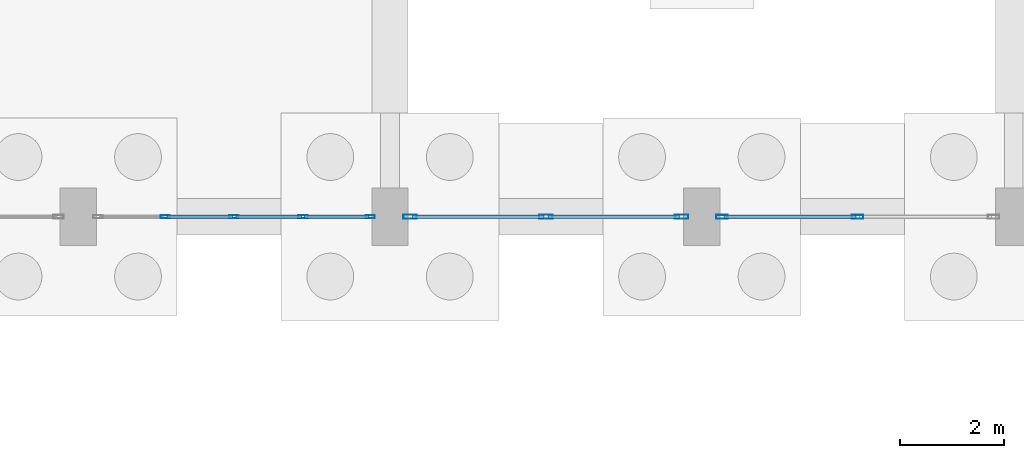
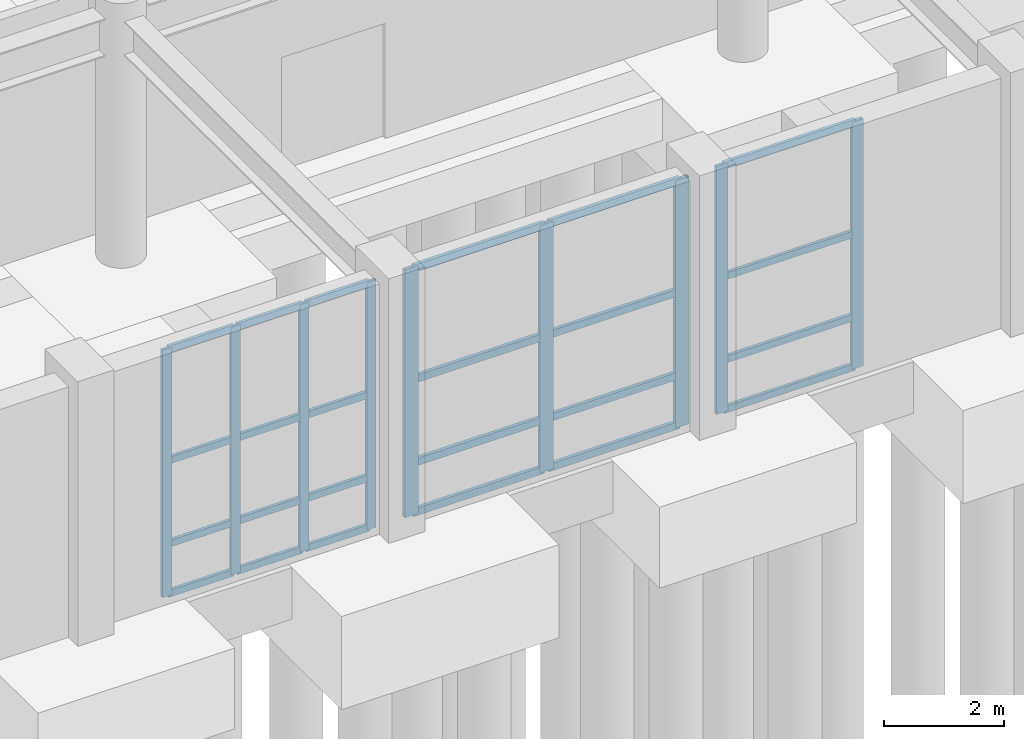
# One storey, part 29 of 69: 33 members, 3 elements without a shape of their own.
"""IFC4 building model written with IfcOpenShell, lengths in metres."""

import ifcopenshell
import ifcopenshell.guid

model = None  # the IFC model being written
_history = None  # IfcOwnerHistory: only IFC2X3 demands one
_inside = {}  # id of a spatial element -> (the spatial element, [elements in it])
_under = {}  # id of a project, library or spatial element -> (it, [spatial elements below it])
_declared = {}  # id of a project -> (the project, [libraries it declares])
_typed = {}  # id of a type object -> (the type object, [elements of that type])
_made_of = {}  # id of a material, layer set ... -> (it, [elements and type objects made of it])


def new_model(schema):
    """Start an empty IFC model of exactly this schema.

    Asked for "IFC4X3", IfcOpenShell would pick the latest addendum, in which some entities
    have other attributes; the version numbers below select the first issue.
    IFC2X3 requires an IfcOwnerHistory on every rooted entity: one is made here for all.
    """
    global model, _history
    if schema == "IFC4X3":
        model = ifcopenshell.file(schema_version=(4, 3, 0, 0))
    else:
        model = ifcopenshell.file(schema=schema)
    _inside.clear()
    _under.clear()
    _declared.clear()
    _typed.clear()
    _made_of.clear()
    _history = None
    if model.schema == "IFC2X3":
        org = make("IfcOrganization", Name="unknown")
        user = make(
            "IfcPersonAndOrganization",
            ThePerson=make("IfcPerson", FamilyName="unknown"),
            TheOrganization=org,
        )
        app = make(
            "IfcApplication",
            ApplicationDeveloper=org,
            Version="unknown",
            ApplicationFullName="unknown",
            ApplicationIdentifier="unknown",
        )
        _history = make(
            "IfcOwnerHistory",
            OwningUser=user,
            OwningApplication=app,
            ChangeAction="ADDED",
            CreationDate=0,
        )
    return model


def make(cls, **values):
    """One entity of the class cls with the attributes given. An attribute that is None is left unset."""
    return model.create_entity(
        cls, **{name: value for name, value in values.items() if value is not None}
    )


def rooted(cls, **values):
    """An entity with a GlobalId (a new one), such as an element, a storey or a relation."""
    return make(cls, GlobalId=ifcopenshell.guid.new(), OwnerHistory=_history, **values)


def si_unit(unit_type, name, prefix=None):
    """IfcSIUnit, for example si_unit("LENGTHUNIT", "METRE", prefix="MILLI")."""
    return make("IfcSIUnit", UnitType=unit_type, Prefix=prefix, Name=name)


def assignment(units):
    """IfcUnitAssignment: the units of a project."""
    return None if units is None else make("IfcUnitAssignment", Units=units)


def point(xyz):
    """IfcCartesianPoint."""
    return None if xyz is None else make("IfcCartesianPoint", Coordinates=xyz)


def direction(xyz):
    """IfcDirection."""
    return None if xyz is None else make("IfcDirection", DirectionRatios=xyz)


def frame(location, z_axis=None, x_axis=None):
    """IfcAxis2Placement3D, a coordinate frame: its origin and axes. An axis left out is left unset."""
    return make(
        "IfcAxis2Placement3D",
        Location=point(location),
        Axis=direction(z_axis),
        RefDirection=direction(x_axis),
    )


def frame_2d(location, x_axis=None):
    """IfcAxis2Placement2D, a coordinate frame in the plane: its origin and x axis."""
    return make(
        "IfcAxis2Placement2D", Location=point(location), RefDirection=direction(x_axis)
    )


def origin():
    """The frame at (0, 0, 0) with its axes left unset."""
    return frame((0.0, 0.0, 0.0))


def origin_2d():
    """The frame at (0, 0) in the plane with its x axis left unset."""
    return frame_2d((0.0, 0.0))


def place(relative_to, where):
    """IfcLocalPlacement: puts the frame where relative to a parent placement (None: the world)."""
    return make(
        "IfcLocalPlacement", PlacementRelTo=relative_to, RelativePlacement=where
    )


def context(
    kind, dimensions, precision=None, world=None, true_north=None, identifier=None
):
    """IfcGeometricRepresentationContext, for example the 3D "Model" context."""
    return make(
        "IfcGeometricRepresentationContext",
        ContextIdentifier=identifier,
        ContextType=kind,
        CoordinateSpaceDimension=dimensions,
        Precision=precision,
        WorldCoordinateSystem=world,
        TrueNorth=true_north,
    )


def subcontext(parent, identifier, kind, view, scale=None):
    """IfcGeometricRepresentationSubContext, for example "Body" below "Model"."""
    return make(
        "IfcGeometricRepresentationSubContext",
        ContextIdentifier=identifier,
        ContextType=kind,
        ParentContext=parent,
        TargetScale=scale,
        TargetView=view,
    )


def project(units=None, contexts=None):
    """IfcProject with its units and contexts."""
    return rooted(
        "IfcProject",
        Name="project",
        RepresentationContexts=contexts,
        UnitsInContext=assignment(units),
    )


def spatial(cls, under=None, at=None, **own):
    """A site, building, storey or space (cls), placed at a placement, below another one or the project."""
    s = rooted(cls, ObjectPlacement=at, **own)
    if under is not None:
        _under.setdefault(under.id(), (under, []))[1].append(s)
    return s


def profile(cls, at=None, kind="AREA", **sizes):
    """A parametric profile (cls). Its sizes go by their IFC names, for example OverallWidth=200.0."""
    return make(cls, ProfileType=kind, Position=at, **sizes)


def hollow_rectangle(**sizes):
    """IfcRectangleHollowProfileDef."""
    return profile("IfcRectangleHollowProfileDef", **sizes)


def extrude(swept, where, along, depth):
    """IfcExtrudedAreaSolid: the profile swept, set in the frame where, extruded along a direction by depth."""
    return make(
        "IfcExtrudedAreaSolid",
        SweptArea=swept,
        Position=where,
        ExtrudedDirection=direction(along),
        Depth=depth,
    )


def shape(context_of_items, identifier, shape_type, items):
    """IfcShapeRepresentation: the items that make up one representation, for example the "Body"."""
    return make(
        "IfcShapeRepresentation",
        ContextOfItems=context_of_items,
        RepresentationIdentifier=identifier,
        RepresentationType=shape_type,
        Items=items,
    )


def material(Name=None, Category=None):
    """IfcMaterial."""
    return make("IfcMaterial", Name=Name, Category=Category)


def layer(
    of_material, thickness, ventilated=None, Name=None, Category=None, Priority=None
):
    """IfcMaterialLayer: one layer of a wall or slab, of a material (None: an air gap)."""
    return make(
        "IfcMaterialLayer",
        Material=of_material,
        LayerThickness=thickness,
        IsVentilated=ventilated,
        Name=Name,
        Category=Category,
        Priority=Priority,
    )


def layer_set(layers, Name=None):
    """IfcMaterialLayerSet."""
    return make("IfcMaterialLayerSet", MaterialLayers=layers, LayerSetName=Name)


def material_profile(
    of_material, cross_section, Name=None, Category=None, Priority=None
):
    """IfcMaterialProfile: a cross section and its material."""
    return make(
        "IfcMaterialProfile",
        Name=Name,
        Material=of_material,
        Profile=cross_section,
        Priority=Priority,
        Category=Category,
    )


def profile_set(profiles, Name=None, composite=None):
    """IfcMaterialProfileSet."""
    return make(
        "IfcMaterialProfileSet",
        Name=Name,
        MaterialProfiles=profiles,
        CompositeProfile=composite,
    )


def made_of(thing, what):
    """Note that an element or type object is made of a material, layer set ...; save() writes the relation."""
    if what is not None:
        _made_of.setdefault(what.id(), (what, []))[1].append(thing)
    return thing


def type_object(cls, material=None, **own):
    """A type object (cls), such as IfcWallType, which elements share."""
    return made_of(rooted(cls, **own), material)


def element(
    cls,
    number,
    at=None,
    inside=None,
    cuts=None,
    type_object=None,
    material=None,
    context=None,
    identifier="Body",
    shape_type=None,
    held_by="IfcProductDefinitionShape",
    body=None,
    shapes=None,
    **own,
):
    """One element of the class cls, such as IfcWall. Its Tag is "e" and its number.

    at: its placement. inside: the storey or other place that contains it. cuts: it is an
    opening in that element (IfcRelVoidsElement). A single representation is given by context,
    identifier, shape_type and body (its items); several are given by shapes. held_by: the class
    of the entity that holds the representations. save() writes the other relations.
    """
    e = rooted(cls, Tag="e%d" % number, ObjectPlacement=at, **own)
    if body is not None:
        shapes = [shape(context, identifier, shape_type, body)]
    if shapes is not None:
        e.Representation = make(held_by, Representations=shapes)
    if inside is not None:
        _inside.setdefault(inside.id(), (inside, []))[1].append(e)
    if cuts is not None:
        rooted(
            "IfcRelVoidsElement", RelatingBuildingElement=cuts, RelatedOpeningElement=e
        )
    if type_object is not None:
        _typed.setdefault(type_object.id(), (type_object, []))[1].append(e)
    return made_of(e, material)


def aggregate(whole, parts):
    """IfcRelAggregates: a whole, such as a stair, and the parts it consists of."""
    return rooted("IfcRelAggregates", RelatingObject=whole, RelatedObjects=parts)


def save(model, path):
    """Write the relations noted so far, then the file.

    IfcRelAggregates (storeys below a building ...), IfcRelContainedInSpatialStructure (elements
    in a storey), IfcRelDefinesByType, IfcRelAssociatesMaterial and IfcRelDeclares: one each for
    every whole, place, type object, material and project.
    """
    for whole, parts in _under.values():
        aggregate(whole, parts)
    for where, things in _inside.values():
        rooted(
            "IfcRelContainedInSpatialStructure",
            RelatedElements=things,
            RelatingStructure=where,
        )
    for kind, things in _typed.values():
        rooted("IfcRelDefinesByType", RelatedObjects=things, RelatingType=kind)
    for what, things in _made_of.values():
        rooted("IfcRelAssociatesMaterial", RelatedObjects=things, RelatingMaterial=what)
    for by, libraries in _declared.values():
        rooted("IfcRelDeclares", RelatingContext=by, RelatedDefinitions=libraries)
    model.write(path)


model = new_model("IFC4")

# Units and contexts
model_context = context("Model", 3, precision=1e-05, world=origin(), true_north=direction((0.0, 1.0)))
body_context = subcontext(model_context, "Body", "Model", "MODEL_VIEW")
ifc_project = project(units=[si_unit("LENGTHUNIT", "METRE"), si_unit("AREAUNIT", "SQUARE_METRE"), si_unit("VOLUMEUNIT", "CUBIC_METRE"), si_unit("PLANEANGLEUNIT", "RADIAN"), si_unit("MASSUNIT", "GRAM", prefix="KILO")], contexts=[model_context])

# Site, building, storey
site_placement = place(None, origin())
site = spatial("IfcSite", under=ifc_project, at=site_placement, CompositionType="ELEMENT")
building_placement = place(site_placement, origin())
building = spatial("IfcBuilding", under=site, at=building_placement, Name="Vaelkrest Opera House", CompositionType="ELEMENT")
storey_placement = place(building_placement, frame((0.0, 0.0, -5.39990234375)))
storey = spatial("IfcBuildingStorey", under=building, at=storey_placement, Name="B1", CompositionType="ELEMENT", Elevation=-5.39990234375)

# Curtain wall, members
ifc_material = material(Name="Dark bronze anodized aluminium", Category="aluminium")
ifc_layer_1 = layer(ifc_material, 0.179931640625)
ifc_layer_set_1 = layer_set([ifc_layer_1], Name="Dark bronze anodized aluminium")
curtain_wall_type_1 = type_object("IfcCurtainWallType", Name="CW01", PredefinedType="NOTDEFINED", material=ifc_layer_set_1)
curtain_wall_1_placement = place(storey_placement, origin())
curtain_wall_1 = element("IfcCurtainWall", 1, at=curtain_wall_1_placement, inside=storey, type_object=curtain_wall_type_1, Name="Curtain wall CW-B1-009", PredefinedType="NOTDEFINED")
ifc_material_profile_1 = material_profile(ifc_material, hollow_rectangle(XDim=0.06494140625, YDim=0.179931640625, WallThickness=0.00390625, at=origin_2d()), Name="CWM65X180")
ifc_profile_set_1 = profile_set([ifc_material_profile_1], Name="Dark bronze anodized aluminium")
member_type_1 = type_object("IfcMemberType", Name="CWM01", PredefinedType="MULLION", material=ifc_profile_set_1)
member_1_placement = place(storey_placement, frame((-18.380615234375, -55.800048828125, 0.0), z_axis=(0.0, 0.0, 1.0), x_axis=(0.0, -1.0, 0.0)))
member_1 = element("IfcMember", 2, at=member_1_placement, type_object=member_type_1, Name="CW01 mullion 1", PredefinedType="MULLION", context=body_context, shape_type="SweptSolid", body=[
    extrude(hollow_rectangle(XDim=0.06494140625, YDim=0.179931640625, WallThickness=0.00390625, at=origin_2d()), origin(), (0.0, 0.0, 1.0), 5.0498046875),
])
member_2_placement = place(storey_placement, frame((-19.674072265625, -55.800048828125, 0.0), z_axis=(0.0, 0.0, 1.0), x_axis=(0.0, -1.0, 0.0)))
member_2 = element("IfcMember", 3, at=member_2_placement, type_object=member_type_1, Name="CW01 mullion 2", PredefinedType="MULLION", context=body_context, shape_type="SweptSolid", body=[
    extrude(hollow_rectangle(XDim=0.06494140625, YDim=0.179931640625, WallThickness=0.00390625, at=origin_2d()), origin(), (0.0, 0.0, 1.0), 5.0498046875),
])
member_3_placement = place(storey_placement, frame((-21.0, -55.800048828125, 0.0), z_axis=(0.0, 0.0, 1.0), x_axis=(0.0, -1.0, 0.0)))
member_3 = element("IfcMember", 4, at=member_3_placement, type_object=member_type_1, Name="CW01 mullion 3", PredefinedType="MULLION", context=body_context, shape_type="SweptSolid", body=[
    extrude(hollow_rectangle(XDim=0.06494140625, YDim=0.179931640625, WallThickness=0.00390625, at=origin_2d()), origin(), (0.0, 0.0, 1.0), 5.0498046875),
])
member_4_placement = place(storey_placement, frame((-22.325927734375, -55.800048828125, 0.0), z_axis=(0.0, 0.0, 1.0), x_axis=(0.0, -1.0, 0.0)))
member_4 = element("IfcMember", 5, at=member_4_placement, type_object=member_type_1, Name="CW01 mullion 4", PredefinedType="MULLION", context=body_context, shape_type="SweptSolid", body=[
    extrude(hollow_rectangle(XDim=0.06494140625, YDim=0.179931640625, WallThickness=0.00390625, at=origin_2d()), origin(), (0.0, 0.0, 1.0), 5.0498046875),
])

ifc_layer_2 = layer(ifc_material, 0.239990234375)
ifc_layer_set_2 = layer_set([ifc_layer_2], Name="Dark bronze anodized aluminium")
curtain_wall_type_2 = type_object("IfcCurtainWallType", Name="CW07", PredefinedType="NOTDEFINED", material=ifc_layer_set_2)
curtain_wall_2_placement = place(storey_placement, origin())
curtain_wall_2 = element("IfcCurtainWall", 6, at=curtain_wall_2_placement, inside=storey, type_object=curtain_wall_type_2, Name="Curtain wall CW-B1-007", PredefinedType="NOTDEFINED")
ifc_material_profile_2 = material_profile(ifc_material, hollow_rectangle(XDim=0.074951171875, YDim=0.219970703125, WallThickness=0.00439453125, at=origin_2d()), Name="CWM75X220")
ifc_profile_set_2 = profile_set([ifc_material_profile_2], Name="Dark bronze anodized aluminium")
member_type_2 = type_object("IfcMemberType", Name="CWM03", PredefinedType="MULLION", material=ifc_profile_set_2)
member_5_placement = place(storey_placement, frame((-9.0, -55.800048828125, 0.0), z_axis=(0.0, 0.0, 1.0), x_axis=(0.0, -1.0, 0.0)))
member_5 = element("IfcMember", 7, at=member_5_placement, type_object=member_type_2, Name="CW07 mullion 2", PredefinedType="MULLION", context=body_context, shape_type="SweptSolid", body=[
    extrude(hollow_rectangle(XDim=0.074951171875, YDim=0.219970703125, WallThickness=0.00439453125, at=origin_2d()), origin(), (0.0, 0.0, 1.0), 5.0498046875),
])
member_6_placement = place(storey_placement, frame((-11.614501953125, -55.800048828125, 0.0), z_axis=(0.0, 0.0, 1.0), x_axis=(0.0, -1.0, 0.0)))
member_6 = element("IfcMember", 8, at=member_6_placement, type_object=member_type_2, Name="CW07 mullion 3", PredefinedType="MULLION", context=body_context, shape_type="SweptSolid", body=[
    extrude(hollow_rectangle(XDim=0.074951171875, YDim=0.219970703125, WallThickness=0.00439453125, at=origin_2d()), origin(), (0.0, 0.0, 1.0), 5.0498046875),
])

ifc_layer_3 = layer(ifc_material, 0.25)
ifc_layer_set_3 = layer_set([ifc_layer_3], Name="Dark bronze anodized aluminium")
curtain_wall_type_3 = type_object("IfcCurtainWallType", Name="CW08", PredefinedType="NOTDEFINED", material=ifc_layer_set_3)
curtain_wall_3_placement = place(storey_placement, origin())
curtain_wall_3 = element("IfcCurtainWall", 9, at=curtain_wall_3_placement, inside=storey, type_object=curtain_wall_type_3, Name="Curtain wall CW-B1-008", PredefinedType="NOTDEFINED")
ifc_material_profile_3 = material_profile(ifc_material, hollow_rectangle(XDim=0.080078125, YDim=0.260009765625, WallThickness=0.0048828125, at=origin_2d()), Name="CWM80X260")
ifc_profile_set_3 = profile_set([ifc_material_profile_3], Name="Dark bronze anodized aluminium")
member_type_3 = type_object("IfcMemberType", Name="CWM04", PredefinedType="MULLION", material=ifc_profile_set_3)
member_7_placement = place(storey_placement, frame((-12.387939453125, -55.800048828125, 0.0), z_axis=(0.0, 0.0, 1.0), x_axis=(0.0, -1.0, 0.0)))
member_7 = element("IfcMember", 10, at=member_7_placement, type_object=member_type_3, Name="CW08 mullion 1", PredefinedType="MULLION", context=body_context, shape_type="SweptSolid", body=[
    extrude(hollow_rectangle(XDim=0.080078125, YDim=0.260009765625, WallThickness=0.0048828125, at=origin_2d()), origin(), (0.0, 0.0, 1.0), 5.0498046875),
])
member_8_placement = place(storey_placement, frame((-15.0, -55.800048828125, 0.0), z_axis=(0.0, 0.0, 1.0), x_axis=(0.0, -1.0, 0.0)))
member_8 = element("IfcMember", 11, at=member_8_placement, type_object=member_type_3, Name="CW08 mullion 2", PredefinedType="MULLION", context=body_context, shape_type="SweptSolid", body=[
    extrude(hollow_rectangle(XDim=0.080078125, YDim=0.260009765625, WallThickness=0.0048828125, at=origin_2d()), origin(), (0.0, 0.0, 1.0), 5.0498046875),
])
member_9_placement = place(storey_placement, frame((-17.612060546875, -55.800048828125, 0.0), z_axis=(0.0, 0.0, 1.0), x_axis=(0.0, -1.0, 0.0)))
member_9 = element("IfcMember", 12, at=member_9_placement, type_object=member_type_3, Name="CW08 mullion 3", PredefinedType="MULLION", context=body_context, shape_type="SweptSolid", body=[
    extrude(hollow_rectangle(XDim=0.080078125, YDim=0.260009765625, WallThickness=0.0048828125, at=origin_2d()), origin(), (0.0, 0.0, 1.0), 5.0498046875),
])

# Member
ifc_material_profile_4 = material_profile(ifc_material, hollow_rectangle(XDim=0.06494140625, YDim=0.139892578125, WallThickness=0.00390625, at=origin_2d()), Name="CWT65X140")
ifc_profile_set_4 = profile_set([ifc_material_profile_4], Name="Dark bronze anodized aluminium")
member_type_4 = type_object("IfcMemberType", Name="CWT01", PredefinedType="USERDEFINED", material=ifc_profile_set_4)
member_10_placement = place(storey_placement, frame((-9.03759765625, -55.800048828125, 0.032470703125), z_axis=(-1.0, 0.0, 0.0), x_axis=(0.0, -1.0, 0.0)))
member_10 = element("IfcMember", 13, at=member_10_placement, type_object=member_type_4, Name="CW07 transom 2.1", ObjectType="TRANSOM", PredefinedType="USERDEFINED", context=body_context, shape_type="SweptSolid", body=[
    extrude(hollow_rectangle(XDim=0.06494140625, YDim=0.139892578125, WallThickness=0.00390625, at=origin_2d()), origin(), (0.0, 0.0, 1.0), 2.539306640625),
])

member_11_placement = place(storey_placement, frame((-9.03759765625, -55.800048828125, 1.0498046875), z_axis=(-1.0, 0.0, 0.0), x_axis=(0.0, -1.0, 0.0)))
member_11 = element("IfcMember", 14, at=member_11_placement, type_object=member_type_4, Name="CW07 transom 2.2", ObjectType="TRANSOM", PredefinedType="USERDEFINED", context=body_context, shape_type="SweptSolid", body=[
    extrude(hollow_rectangle(XDim=0.06494140625, YDim=0.139892578125, WallThickness=0.00390625, at=origin_2d()), origin(), (0.0, 0.0, 1.0), 2.539306640625),
])

member_12_placement = place(storey_placement, frame((-9.03759765625, -55.800048828125, 2.75), z_axis=(-1.0, 0.0, 0.0), x_axis=(0.0, -1.0, 0.0)))
member_12 = element("IfcMember", 15, at=member_12_placement, type_object=member_type_4, Name="CW07 transom 2.3", ObjectType="TRANSOM", PredefinedType="USERDEFINED", context=body_context, shape_type="SweptSolid", body=[
    extrude(hollow_rectangle(XDim=0.06494140625, YDim=0.139892578125, WallThickness=0.00390625, at=origin_2d()), origin(), (0.0, 0.0, 1.0), 2.539306640625),
])

member_13_placement = place(storey_placement, frame((-9.03759765625, -55.800048828125, 5.017333984375), z_axis=(-1.0, 0.0, 0.0), x_axis=(0.0, -1.0, 0.0)))
member_13 = element("IfcMember", 16, at=member_13_placement, type_object=member_type_4, Name="CW07 transom 2.4", ObjectType="TRANSOM", PredefinedType="USERDEFINED", context=body_context, shape_type="SweptSolid", body=[
    extrude(hollow_rectangle(XDim=0.06494140625, YDim=0.139892578125, WallThickness=0.00390625, at=origin_2d()), origin(), (0.0, 0.0, 1.0), 2.539306640625),
])

aggregate(curtain_wall_2, [member_5, member_6, member_10, member_11, member_12, member_13])

member_14_placement = place(storey_placement, frame((-18.4130859375, -55.800048828125, 0.032470703125), z_axis=(-1.0, 0.0, 0.0), x_axis=(0.0, -1.0, 0.0)))
member_14 = element("IfcMember", 17, at=member_14_placement, type_object=member_type_4, Name="CW01 transom 1.1", ObjectType="TRANSOM", PredefinedType="USERDEFINED", context=body_context, shape_type="SweptSolid", body=[
    extrude(hollow_rectangle(XDim=0.06494140625, YDim=0.139892578125, WallThickness=0.00390625, at=origin_2d()), origin(), (0.0, 0.0, 1.0), 1.228515625),
])

member_15_placement = place(storey_placement, frame((-18.4130859375, -55.800048828125, 1.0498046875), z_axis=(-1.0, 0.0, 0.0), x_axis=(0.0, -1.0, 0.0)))
member_15 = element("IfcMember", 18, at=member_15_placement, type_object=member_type_4, Name="CW01 transom 1.2", ObjectType="TRANSOM", PredefinedType="USERDEFINED", context=body_context, shape_type="SweptSolid", body=[
    extrude(hollow_rectangle(XDim=0.06494140625, YDim=0.139892578125, WallThickness=0.00390625, at=origin_2d()), origin(), (0.0, 0.0, 1.0), 1.228515625),
])

member_16_placement = place(storey_placement, frame((-18.4130859375, -55.800048828125, 2.75), z_axis=(-1.0, 0.0, 0.0), x_axis=(0.0, -1.0, 0.0)))
member_16 = element("IfcMember", 19, at=member_16_placement, type_object=member_type_4, Name="CW01 transom 1.3", ObjectType="TRANSOM", PredefinedType="USERDEFINED", context=body_context, shape_type="SweptSolid", body=[
    extrude(hollow_rectangle(XDim=0.06494140625, YDim=0.139892578125, WallThickness=0.00390625, at=origin_2d()), origin(), (0.0, 0.0, 1.0), 1.228515625),
])

member_17_placement = place(storey_placement, frame((-18.4130859375, -55.800048828125, 5.017333984375), z_axis=(-1.0, 0.0, 0.0), x_axis=(0.0, -1.0, 0.0)))
member_17 = element("IfcMember", 20, at=member_17_placement, type_object=member_type_4, Name="CW01 transom 1.4", ObjectType="TRANSOM", PredefinedType="USERDEFINED", context=body_context, shape_type="SweptSolid", body=[
    extrude(hollow_rectangle(XDim=0.06494140625, YDim=0.139892578125, WallThickness=0.00390625, at=origin_2d()), origin(), (0.0, 0.0, 1.0), 1.228515625),
])

member_18_placement = place(storey_placement, frame((-19.70654296875, -55.800048828125, 0.032470703125), z_axis=(-1.0, 0.0, 0.0), x_axis=(0.0, -1.0, 0.0)))
member_18 = element("IfcMember", 21, at=member_18_placement, type_object=member_type_4, Name="CW01 transom 2.1", ObjectType="TRANSOM", PredefinedType="USERDEFINED", context=body_context, shape_type="SweptSolid", body=[
    extrude(hollow_rectangle(XDim=0.06494140625, YDim=0.139892578125, WallThickness=0.00390625, at=origin_2d()), origin(), (0.0, 0.0, 1.0), 1.260986328125),
])

member_19_placement = place(storey_placement, frame((-19.70654296875, -55.800048828125, 1.0498046875), z_axis=(-1.0, 0.0, 0.0), x_axis=(0.0, -1.0, 0.0)))
member_19 = element("IfcMember", 22, at=member_19_placement, type_object=member_type_4, Name="CW01 transom 2.2", ObjectType="TRANSOM", PredefinedType="USERDEFINED", context=body_context, shape_type="SweptSolid", body=[
    extrude(hollow_rectangle(XDim=0.06494140625, YDim=0.139892578125, WallThickness=0.00390625, at=origin_2d()), origin(), (0.0, 0.0, 1.0), 1.260986328125),
])

member_20_placement = place(storey_placement, frame((-19.70654296875, -55.800048828125, 2.75), z_axis=(-1.0, 0.0, 0.0), x_axis=(0.0, -1.0, 0.0)))
member_20 = element("IfcMember", 23, at=member_20_placement, type_object=member_type_4, Name="CW01 transom 2.3", ObjectType="TRANSOM", PredefinedType="USERDEFINED", context=body_context, shape_type="SweptSolid", body=[
    extrude(hollow_rectangle(XDim=0.06494140625, YDim=0.139892578125, WallThickness=0.00390625, at=origin_2d()), origin(), (0.0, 0.0, 1.0), 1.260986328125),
])

member_21_placement = place(storey_placement, frame((-19.70654296875, -55.800048828125, 5.017333984375), z_axis=(-1.0, 0.0, 0.0), x_axis=(0.0, -1.0, 0.0)))
member_21 = element("IfcMember", 24, at=member_21_placement, type_object=member_type_4, Name="CW01 transom 2.4", ObjectType="TRANSOM", PredefinedType="USERDEFINED", context=body_context, shape_type="SweptSolid", body=[
    extrude(hollow_rectangle(XDim=0.06494140625, YDim=0.139892578125, WallThickness=0.00390625, at=origin_2d()), origin(), (0.0, 0.0, 1.0), 1.260986328125),
])

member_22_placement = place(storey_placement, frame((-21.032470703125, -55.800048828125, 0.032470703125), z_axis=(-1.0, 0.0, 0.0), x_axis=(0.0, -1.0, 0.0)))
member_22 = element("IfcMember", 25, at=member_22_placement, type_object=member_type_4, Name="CW01 transom 3.1", ObjectType="TRANSOM", PredefinedType="USERDEFINED", context=body_context, shape_type="SweptSolid", body=[
    extrude(hollow_rectangle(XDim=0.06494140625, YDim=0.139892578125, WallThickness=0.00390625, at=origin_2d()), origin(), (0.0, 0.0, 1.0), 1.260986328125),
])

member_23_placement = place(storey_placement, frame((-21.032470703125, -55.800048828125, 1.0498046875), z_axis=(-1.0, 0.0, 0.0), x_axis=(0.0, -1.0, 0.0)))
member_23 = element("IfcMember", 26, at=member_23_placement, type_object=member_type_4, Name="CW01 transom 3.2", ObjectType="TRANSOM", PredefinedType="USERDEFINED", context=body_context, shape_type="SweptSolid", body=[
    extrude(hollow_rectangle(XDim=0.06494140625, YDim=0.139892578125, WallThickness=0.00390625, at=origin_2d()), origin(), (0.0, 0.0, 1.0), 1.260986328125),
])

member_24_placement = place(storey_placement, frame((-21.032470703125, -55.800048828125, 2.75), z_axis=(-1.0, 0.0, 0.0), x_axis=(0.0, -1.0, 0.0)))
member_24 = element("IfcMember", 27, at=member_24_placement, type_object=member_type_4, Name="CW01 transom 3.3", ObjectType="TRANSOM", PredefinedType="USERDEFINED", context=body_context, shape_type="SweptSolid", body=[
    extrude(hollow_rectangle(XDim=0.06494140625, YDim=0.139892578125, WallThickness=0.00390625, at=origin_2d()), origin(), (0.0, 0.0, 1.0), 1.260986328125),
])

member_25_placement = place(storey_placement, frame((-21.032470703125, -55.800048828125, 5.017333984375), z_axis=(-1.0, 0.0, 0.0), x_axis=(0.0, -1.0, 0.0)))
member_25 = element("IfcMember", 28, at=member_25_placement, type_object=member_type_4, Name="CW01 transom 3.4", ObjectType="TRANSOM", PredefinedType="USERDEFINED", context=body_context, shape_type="SweptSolid", body=[
    extrude(hollow_rectangle(XDim=0.06494140625, YDim=0.139892578125, WallThickness=0.00390625, at=origin_2d()), origin(), (0.0, 0.0, 1.0), 1.260986328125),
])

aggregate(curtain_wall_1, [member_1, member_2, member_3, member_4, member_14, member_15, member_16, member_17, member_18, member_19, member_20, member_21, member_22, member_23, member_24, member_25])

ifc_material_profile_5 = material_profile(ifc_material, hollow_rectangle(XDim=0.070068359375, YDim=0.14990234375, WallThickness=0.004150390625, at=origin_2d()), Name="CWT70X150")
ifc_profile_set_5 = profile_set([ifc_material_profile_5], Name="Dark bronze anodized aluminium")
member_type_5 = type_object("IfcMemberType", Name="CWT02", PredefinedType="USERDEFINED", material=ifc_profile_set_5)
member_26_placement = place(storey_placement, frame((-12.427978515625, -55.800048828125, 0.034912109375), z_axis=(-1.0, 0.0, 0.0), x_axis=(0.0, -1.0, 0.0)))
member_26 = element("IfcMember", 29, at=member_26_placement, type_object=member_type_5, Name="CW08 transom 1.1", ObjectType="TRANSOM", PredefinedType="USERDEFINED", context=body_context, shape_type="SweptSolid", body=[
    extrude(hollow_rectangle(XDim=0.070068359375, YDim=0.14990234375, WallThickness=0.004150390625, at=origin_2d()), origin(), (0.0, 0.0, 1.0), 2.531982421875),
])

member_27_placement = place(storey_placement, frame((-12.427978515625, -55.800048828125, 1.0498046875), z_axis=(-1.0, 0.0, 0.0), x_axis=(0.0, -1.0, 0.0)))
member_27 = element("IfcMember", 30, at=member_27_placement, type_object=member_type_5, Name="CW08 transom 1.2", ObjectType="TRANSOM", PredefinedType="USERDEFINED", context=body_context, shape_type="SweptSolid", body=[
    extrude(hollow_rectangle(XDim=0.070068359375, YDim=0.14990234375, WallThickness=0.004150390625, at=origin_2d()), origin(), (0.0, 0.0, 1.0), 2.531982421875),
])

member_28_placement = place(storey_placement, frame((-12.427978515625, -55.800048828125, 2.75), z_axis=(-1.0, 0.0, 0.0), x_axis=(0.0, -1.0, 0.0)))
member_28 = element("IfcMember", 31, at=member_28_placement, type_object=member_type_5, Name="CW08 transom 1.3", ObjectType="TRANSOM", PredefinedType="USERDEFINED", context=body_context, shape_type="SweptSolid", body=[
    extrude(hollow_rectangle(XDim=0.070068359375, YDim=0.14990234375, WallThickness=0.004150390625, at=origin_2d()), origin(), (0.0, 0.0, 1.0), 2.531982421875),
])

member_29_placement = place(storey_placement, frame((-12.427978515625, -55.800048828125, 5.014892578125), z_axis=(-1.0, 0.0, 0.0), x_axis=(0.0, -1.0, 0.0)))
member_29 = element("IfcMember", 32, at=member_29_placement, type_object=member_type_5, Name="CW08 transom 1.4", ObjectType="TRANSOM", PredefinedType="USERDEFINED", context=body_context, shape_type="SweptSolid", body=[
    extrude(hollow_rectangle(XDim=0.070068359375, YDim=0.14990234375, WallThickness=0.004150390625, at=origin_2d()), origin(), (0.0, 0.0, 1.0), 2.531982421875),
])

member_30_placement = place(storey_placement, frame((-15.0400390625, -55.800048828125, 0.034912109375), z_axis=(-1.0, 0.0, 0.0), x_axis=(0.0, -1.0, 0.0)))
member_30 = element("IfcMember", 33, at=member_30_placement, type_object=member_type_5, Name="CW08 transom 2.1", ObjectType="TRANSOM", PredefinedType="USERDEFINED", context=body_context, shape_type="SweptSolid", body=[
    extrude(hollow_rectangle(XDim=0.070068359375, YDim=0.14990234375, WallThickness=0.004150390625, at=origin_2d()), origin(), (0.0, 0.0, 1.0), 2.531982421875),
])

member_31_placement = place(storey_placement, frame((-15.0400390625, -55.800048828125, 1.0498046875), z_axis=(-1.0, 0.0, 0.0), x_axis=(0.0, -1.0, 0.0)))
member_31 = element("IfcMember", 34, at=member_31_placement, type_object=member_type_5, Name="CW08 transom 2.2", ObjectType="TRANSOM", PredefinedType="USERDEFINED", context=body_context, shape_type="SweptSolid", body=[
    extrude(hollow_rectangle(XDim=0.070068359375, YDim=0.14990234375, WallThickness=0.004150390625, at=origin_2d()), origin(), (0.0, 0.0, 1.0), 2.531982421875),
])

member_32_placement = place(storey_placement, frame((-15.0400390625, -55.800048828125, 2.75), z_axis=(-1.0, 0.0, 0.0), x_axis=(0.0, -1.0, 0.0)))
member_32 = element("IfcMember", 35, at=member_32_placement, type_object=member_type_5, Name="CW08 transom 2.3", ObjectType="TRANSOM", PredefinedType="USERDEFINED", context=body_context, shape_type="SweptSolid", body=[
    extrude(hollow_rectangle(XDim=0.070068359375, YDim=0.14990234375, WallThickness=0.004150390625, at=origin_2d()), origin(), (0.0, 0.0, 1.0), 2.531982421875),
])

member_33_placement = place(storey_placement, frame((-15.0400390625, -55.800048828125, 5.014892578125), z_axis=(-1.0, 0.0, 0.0), x_axis=(0.0, -1.0, 0.0)))
member_33 = element("IfcMember", 36, at=member_33_placement, type_object=member_type_5, Name="CW08 transom 2.4", ObjectType="TRANSOM", PredefinedType="USERDEFINED", context=body_context, shape_type="SweptSolid", body=[
    extrude(hollow_rectangle(XDim=0.070068359375, YDim=0.14990234375, WallThickness=0.004150390625, at=origin_2d()), origin(), (0.0, 0.0, 1.0), 2.531982421875),
])

aggregate(curtain_wall_3, [member_7, member_8, member_9, member_26, member_27, member_28, member_29, member_30, member_31, member_32, member_33])

save(model, "model.ifc")
